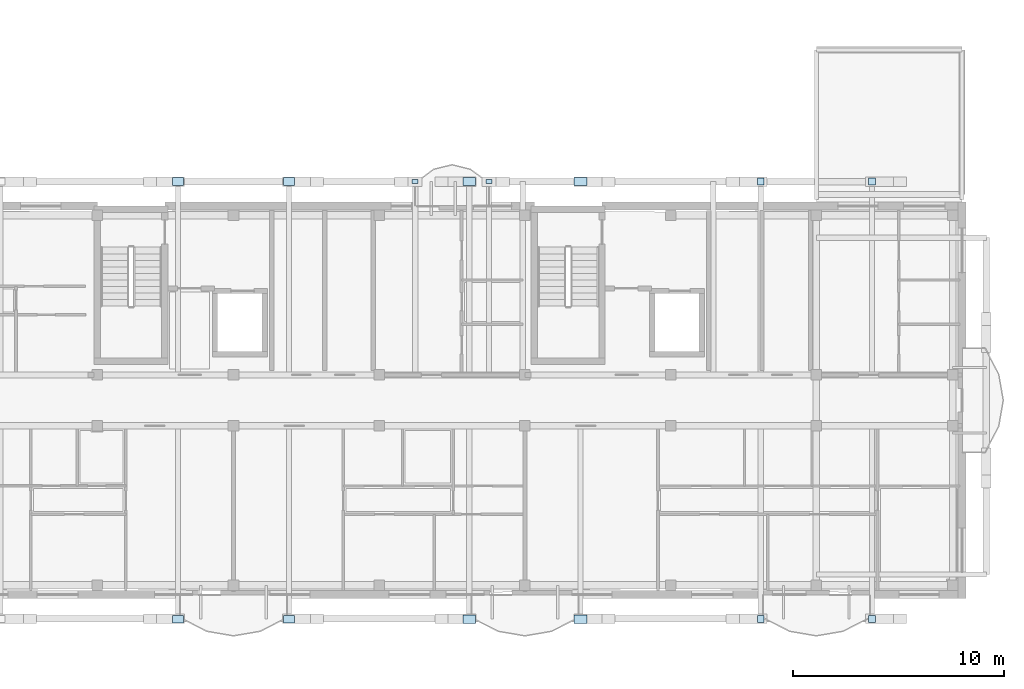
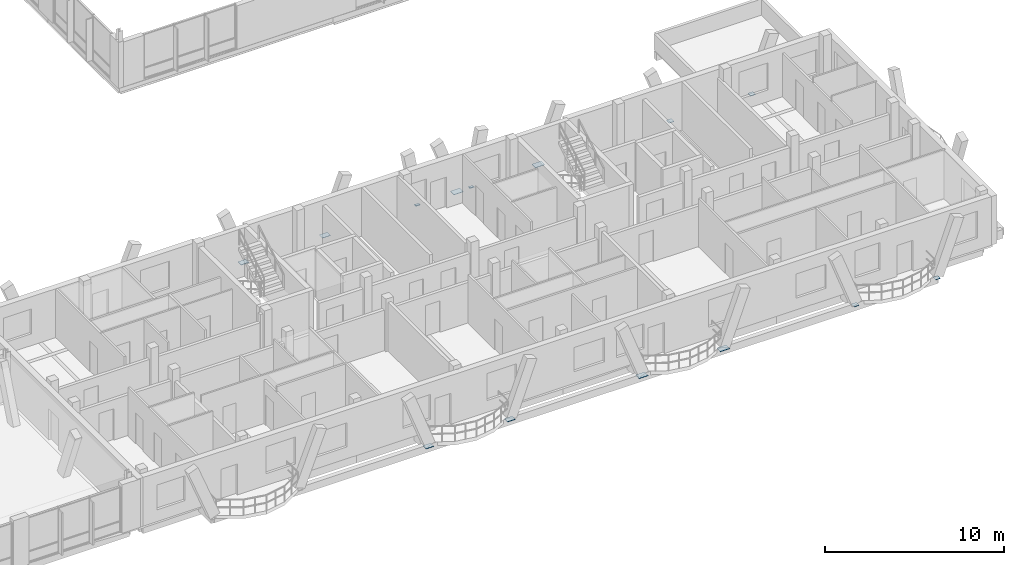
# One storey, part 139 of 189: 14 plates.
"""IFC4 building model written with IfcOpenShell, lengths in metres."""

from ifc_helpers import new_model, si_unit, direction, frame, origin, origin_2d, place, context, subcontext, project, spatial, rectangle, extrude, material, layer, layer_set, type_object, element, save


model = new_model("IFC4")

# Units and contexts
model_context = context("Model", 3, precision=1e-05, world=origin(), true_north=direction((0.0, 1.0)))
body_context = subcontext(model_context, "Body", "Model", "MODEL_VIEW")
ifc_project = project(units=[si_unit("LENGTHUNIT", "METRE"), si_unit("AREAUNIT", "SQUARE_METRE"), si_unit("VOLUMEUNIT", "CUBIC_METRE"), si_unit("PLANEANGLEUNIT", "RADIAN"), si_unit("MASSUNIT", "GRAM", prefix="KILO")], contexts=[model_context])

# Site, building, storey
site_placement = place(None, origin())
site = spatial("IfcSite", under=ifc_project, at=site_placement, CompositionType="ELEMENT")
building_placement = place(site_placement, origin())
building = spatial("IfcBuilding", under=site, at=building_placement, Name="Zavelmont Quarter", CompositionType="ELEMENT")
storey_placement = place(building_placement, frame((0.0, 0.0, 4.39990234375)))
storey = spatial("IfcBuildingStorey", under=building, at=storey_placement, Name="L01", CompositionType="ELEMENT", Elevation=4.39990234375)

# Plates
ifc_material = material(Name="Steel S355", Category="steel")
ifc_layer_1 = layer(ifc_material, 0.02001953125)
ifc_layer_set_1 = layer_set([ifc_layer_1], Name="Steel S355")
plate_type_1 = type_object("IfcPlateType", Name="NP01", PredefinedType="SHEET", material=ifc_layer_set_1)
for number, where, z_axis, x_axis, name in (
    (1, (142.1025390625, 19.56201171875, -0.2099609375), (0.0, 0.0, 1.0), (1.0, 0.0, 0.0), "L01 steel connection plate NP01 at 21/D"),
    (2, (145.597412109375, 19.56201171875, -0.2099609375), (0.0, 0.0, 1.0), (1.0, 0.0, 0.0), "L01 steel connection plate NP01 at 22/D"),
):
    element("IfcPlate", number, at=place(storey_placement, frame(where, z_axis=z_axis, x_axis=x_axis)), inside=storey, type_object=plate_type_1, Name=name, PredefinedType="SHEET", context=body_context, shape_type="SweptSolid", body=[
        extrude(rectangle(XDim=0.280029296875, YDim=0.179931640625, at=origin_2d()), origin(), (0.0, 0.0, 1.0), 0.02001953125),
    ])
ifc_layer_2 = layer(ifc_material, 0.028076171875)
ifc_layer_set_2 = layer_set([ifc_layer_2], Name="Steel S355")
plate_type_2 = type_object("IfcPlateType", Name="NP04", PredefinedType="SHEET", material=ifc_layer_set_2)
for number, where, z_axis, x_axis, name in (
    (3, (130.867431640625, -1.162109375, -0.2138671875), (0.0, 0.0, 1.0), (1.0, 0.0, 0.0), "L01 steel connection plate NP04 at 20/A"),
    (4, (136.132568359375, -1.162109375, -0.2138671875), (0.0, 0.0, 1.0), (1.0, 0.0, 0.0), "L01 steel connection plate NP04 at 20/A"),
    (5, (130.867431640625, 19.56201171875, -0.2138671875), (0.0, 0.0, 1.0), (1.0, 0.0, 0.0), "L01 steel connection plate NP04 at 20/D"),
    (6, (136.132568359375, 19.56201171875, -0.2138671875), (0.0, 0.0, 1.0), (1.0, 0.0, 0.0), "L01 steel connection plate NP04 at 20/D"),
):
    element("IfcPlate", number, at=place(storey_placement, frame(where, z_axis=z_axis, x_axis=x_axis)), inside=storey, type_object=plate_type_2, Name=name, PredefinedType="SHEET", context=body_context, shape_type="SweptSolid", body=[
        extrude(rectangle(XDim=0.52001953125, YDim=0.360107421875, at=origin_2d()), origin(), (0.0, 0.0, 1.0), 0.028076171875),
    ])
ifc_layer_3 = layer(ifc_material, 0.030029296875)
ifc_layer_set_3 = layer_set([ifc_layer_3], Name="Steel S355")
plate_type_3 = type_object("IfcPlateType", Name="NP05", PredefinedType="SHEET", material=ifc_layer_set_3)
for number, where, z_axis, x_axis, name in (
    (7, (144.66748046875, -1.162109375, -0.21484375), (0.0, 0.0, 1.0), (1.0, 0.0, 0.0), "L01 steel connection plate NP05 at 22/A"),
    (8, (149.9326171875, -1.162109375, -0.21484375), (0.0, 0.0, 1.0), (1.0, 0.0, 0.0), "L01 steel connection plate NP05 at 22/A"),
    (9, (144.66748046875, 19.56201171875, -0.21484375), (0.0, 0.0, 1.0), (1.0, 0.0, 0.0), "L01 steel connection plate NP05 at 22/D"),
    (10, (149.9326171875, 19.56201171875, -0.21484375), (0.0, 0.0, 1.0), (1.0, 0.0, 0.0), "L01 steel connection plate NP05 at 22/D"),
):
    element("IfcPlate", number, at=place(storey_placement, frame(where, z_axis=z_axis, x_axis=x_axis)), inside=storey, type_object=plate_type_3, Name=name, PredefinedType="SHEET", context=body_context, shape_type="SweptSolid", body=[
        extrude(rectangle(XDim=0.60009765625, YDim=0.39990234375, at=origin_2d()), origin(), (0.0, 0.0, 1.0), 0.030029296875),
    ])
ifc_layer_4 = layer(ifc_material, 0.02197265625)
ifc_layer_set_4 = layer_set([ifc_layer_4], Name="Steel S355")
plate_type_4 = type_object("IfcPlateType", Name="NP06", PredefinedType="SHEET", material=ifc_layer_set_4)
for number, where, z_axis, x_axis, name in (
    (11, (158.46728515625, -1.162109375, -0.2109375), (0.0, 0.0, 1.0), (1.0, 0.0, 0.0), "L01 steel connection plate NP06 at 24/A"),
    (12, (163.732666015625, -1.162109375, -0.2109375), (0.0, 0.0, 1.0), (1.0, 0.0, 0.0), "L01 steel connection plate NP06 at 24/A"),
    (13, (158.46728515625, 19.56201171875, -0.2109375), (0.0, 0.0, 1.0), (1.0, 0.0, 0.0), "L01 steel connection plate NP06 at 24/D"),
    (14, (163.732666015625, 19.56201171875, -0.2109375), (0.0, 0.0, 1.0), (1.0, 0.0, 0.0), "L01 steel connection plate NP06 at 24/D"),
):
    element("IfcPlate", number, at=place(storey_placement, frame(where, z_axis=z_axis, x_axis=x_axis)), inside=storey, type_object=plate_type_4, Name=name, PredefinedType="SHEET", context=body_context, shape_type="SweptSolid", body=[
        extrude(rectangle(XDim=0.320068359375, YDim=0.320068359375, at=origin_2d()), origin(), (0.0, 0.0, 1.0), 0.02197265625),
    ])

save(model, "model.ifc")
